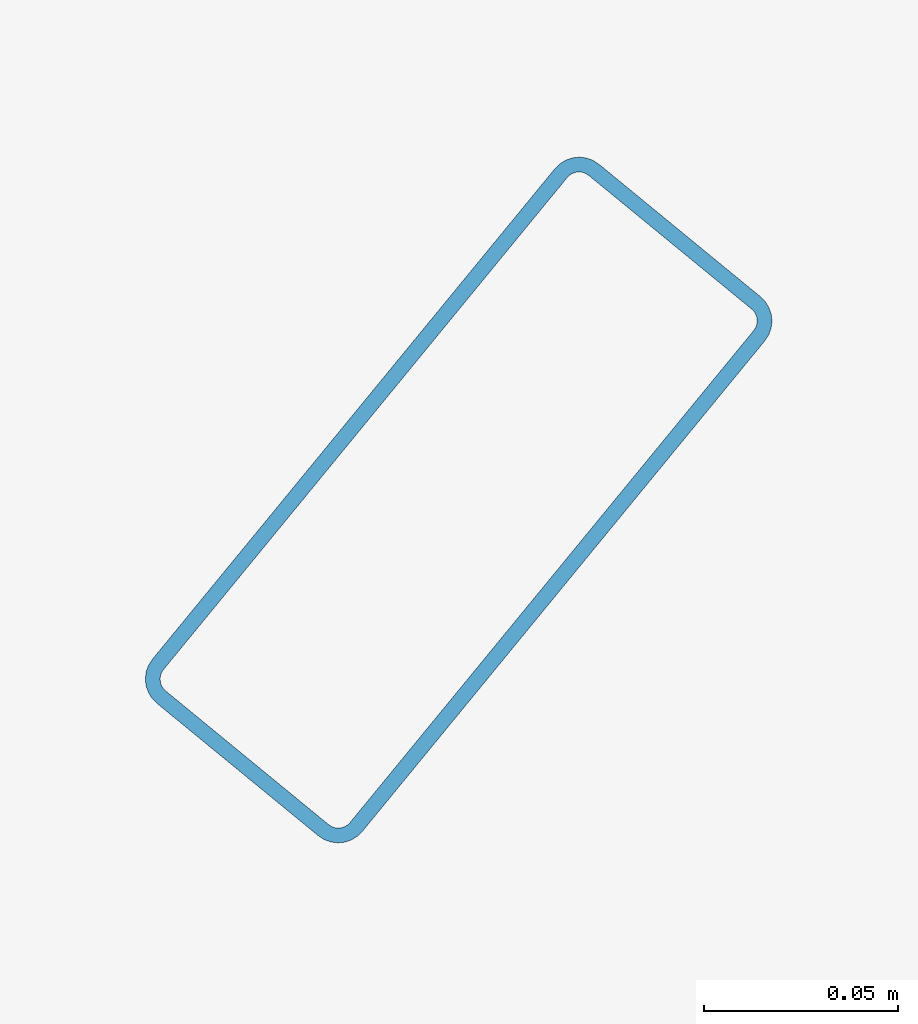
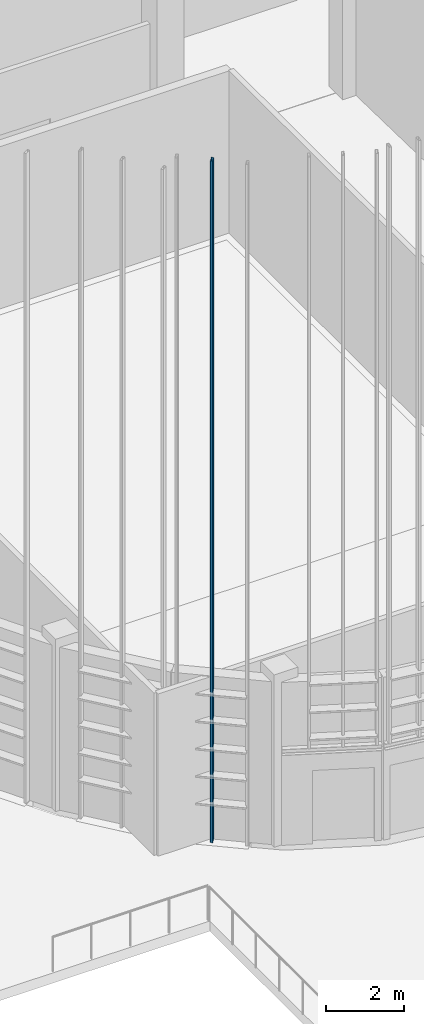
# One storey, part 180 of 372: 1 member.
"""IFC4 building model written with IfcOpenShell, lengths in metres."""

from ifc_helpers import new_model, si_unit, direction, frame, origin, origin_2d, place, context, subcontext, project, spatial, hollow_rectangle, extrude, material, material_profile, profile_set, type_object, element, save


model = new_model("IFC4")

# Units and contexts
model_context = context("Model", 3, precision=1e-05, world=origin(), true_north=direction((0.0, 1.0)))
body_context = subcontext(model_context, "Body", "Model", "MODEL_VIEW")
ifc_project = project(units=[si_unit("LENGTHUNIT", "METRE"), si_unit("AREAUNIT", "SQUARE_METRE"), si_unit("VOLUMEUNIT", "CUBIC_METRE"), si_unit("PLANEANGLEUNIT", "RADIAN"), si_unit("MASSUNIT", "GRAM", prefix="KILO")], contexts=[model_context])

# Site, building, storey
site_placement = place(None, origin())
site = spatial("IfcSite", under=ifc_project, at=site_placement, CompositionType="ELEMENT")
building_placement = place(site_placement, origin())
building = spatial("IfcBuilding", under=site, at=building_placement, Name="Kaelora Sail Theatre", CompositionType="ELEMENT")
storey_placement = place(building_placement, origin())
storey = spatial("IfcBuildingStorey", under=building, at=storey_placement, Name="L00", CompositionType="ELEMENT", Elevation=0.0)

# Member
ifc_material = material(Name="Anodised aluminium 6063-T6", Category="aluminium")
ifc_material_profile = material_profile(ifc_material, hollow_rectangle(XDim=0.070068359375, YDim=0.179931640625, WallThickness=0.00390625, InnerFilletRadius=0.00390625, OuterFilletRadius=0.008056640625, at=origin_2d()), Name="ALU-MULL 70x180x4")
ifc_profile_set = profile_set([ifc_material_profile], Name="Anodised aluminium 6063-T6")
member_type = type_object("IfcMemberType", Name="ARC-MEM-PST-160", PredefinedType="POST", material=ifc_profile_set)
member_placement = place(storey_placement, frame((84.343017578125, 33.62939453125, 0.0), z_axis=(0.0, 0.0, 1.0), x_axis=(-0.773065811677, 0.63432582386, 0.0)))
element("IfcMember", 1, at=member_placement, inside=storey, type_object=member_type, Name="Studio Theatre Sail Drum solar louvre vertical support post C13-2", PredefinedType="POST", context=body_context, shape_type="SweptSolid", body=[
    extrude(hollow_rectangle(XDim=0.070068359375, YDim=0.179931640625, WallThickness=0.00390625, InnerFilletRadius=0.00390625, OuterFilletRadius=0.008056640625, at=origin_2d()), origin(), (0.0, 0.0, 1.0), 21.35986328125),
])

save(model, "model.ifc")
